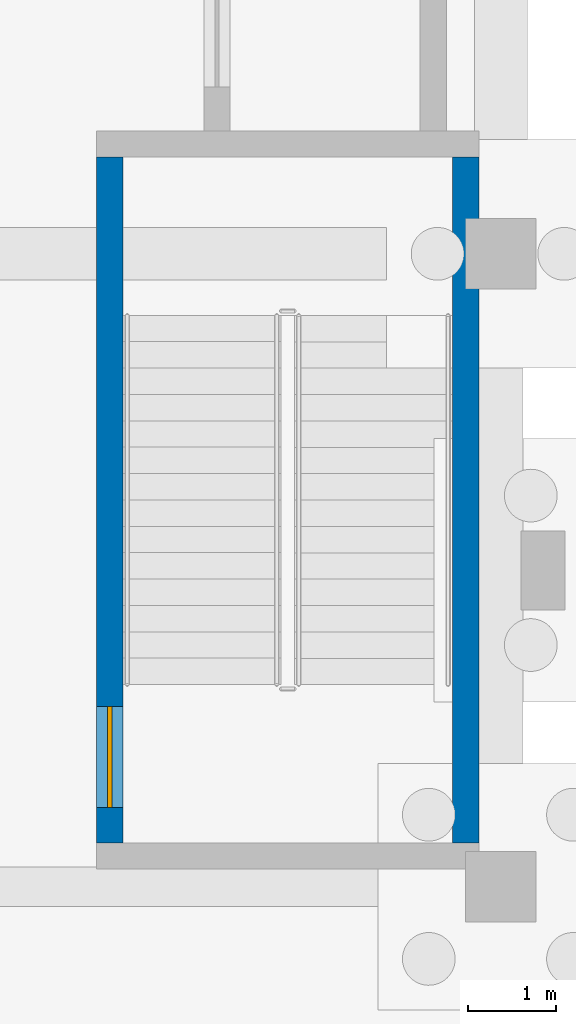
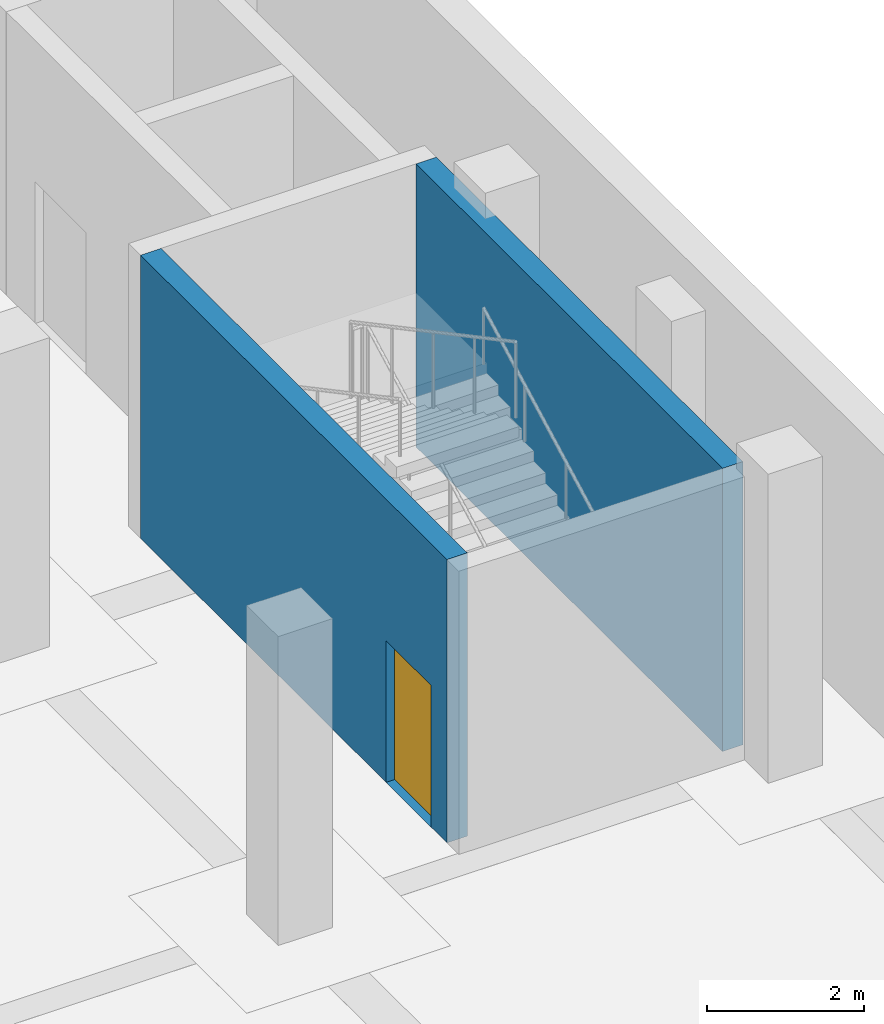
# One storey, part 28 of 38: 2 walls, 1 door, 1 opening.
"""IFC4 building model written with IfcOpenShell, lengths in metres."""

import ifcopenshell
import ifcopenshell.guid

model = None  # the IFC model being written
_history = None  # IfcOwnerHistory: only IFC2X3 demands one
_inside = {}  # id of a spatial element -> (the spatial element, [elements in it])
_under = {}  # id of a project, library or spatial element -> (it, [spatial elements below it])
_declared = {}  # id of a project -> (the project, [libraries it declares])
_typed = {}  # id of a type object -> (the type object, [elements of that type])
_made_of = {}  # id of a material, layer set ... -> (it, [elements and type objects made of it])


def new_model(schema):
    """Start an empty IFC model of exactly this schema.

    Asked for "IFC4X3", IfcOpenShell would pick the latest addendum, in which some entities
    have other attributes; the version numbers below select the first issue.
    IFC2X3 requires an IfcOwnerHistory on every rooted entity: one is made here for all.
    """
    global model, _history
    if schema == "IFC4X3":
        model = ifcopenshell.file(schema_version=(4, 3, 0, 0))
    else:
        model = ifcopenshell.file(schema=schema)
    _inside.clear()
    _under.clear()
    _declared.clear()
    _typed.clear()
    _made_of.clear()
    _history = None
    if model.schema == "IFC2X3":
        org = make("IfcOrganization", Name="unknown")
        user = make(
            "IfcPersonAndOrganization",
            ThePerson=make("IfcPerson", FamilyName="unknown"),
            TheOrganization=org,
        )
        app = make(
            "IfcApplication",
            ApplicationDeveloper=org,
            Version="unknown",
            ApplicationFullName="unknown",
            ApplicationIdentifier="unknown",
        )
        _history = make(
            "IfcOwnerHistory",
            OwningUser=user,
            OwningApplication=app,
            ChangeAction="ADDED",
            CreationDate=0,
        )
    return model


def make(cls, **values):
    """One entity of the class cls with the attributes given. An attribute that is None is left unset."""
    return model.create_entity(
        cls, **{name: value for name, value in values.items() if value is not None}
    )


def rooted(cls, **values):
    """An entity with a GlobalId (a new one), such as an element, a storey or a relation."""
    return make(cls, GlobalId=ifcopenshell.guid.new(), OwnerHistory=_history, **values)


def si_unit(unit_type, name, prefix=None):
    """IfcSIUnit, for example si_unit("LENGTHUNIT", "METRE", prefix="MILLI")."""
    return make("IfcSIUnit", UnitType=unit_type, Prefix=prefix, Name=name)


def assignment(units):
    """IfcUnitAssignment: the units of a project."""
    return None if units is None else make("IfcUnitAssignment", Units=units)


def point(xyz):
    """IfcCartesianPoint."""
    return None if xyz is None else make("IfcCartesianPoint", Coordinates=xyz)


def direction(xyz):
    """IfcDirection."""
    return None if xyz is None else make("IfcDirection", DirectionRatios=xyz)


def frame(location, z_axis=None, x_axis=None):
    """IfcAxis2Placement3D, a coordinate frame: its origin and axes. An axis left out is left unset."""
    return make(
        "IfcAxis2Placement3D",
        Location=point(location),
        Axis=direction(z_axis),
        RefDirection=direction(x_axis),
    )


def frame_2d(location, x_axis=None):
    """IfcAxis2Placement2D, a coordinate frame in the plane: its origin and x axis."""
    return make(
        "IfcAxis2Placement2D", Location=point(location), RefDirection=direction(x_axis)
    )


def origin():
    """The frame at (0, 0, 0) with its axes left unset."""
    return frame((0.0, 0.0, 0.0))


def place(relative_to, where):
    """IfcLocalPlacement: puts the frame where relative to a parent placement (None: the world)."""
    return make(
        "IfcLocalPlacement", PlacementRelTo=relative_to, RelativePlacement=where
    )


def context(
    kind, dimensions, precision=None, world=None, true_north=None, identifier=None
):
    """IfcGeometricRepresentationContext, for example the 3D "Model" context."""
    return make(
        "IfcGeometricRepresentationContext",
        ContextIdentifier=identifier,
        ContextType=kind,
        CoordinateSpaceDimension=dimensions,
        Precision=precision,
        WorldCoordinateSystem=world,
        TrueNorth=true_north,
    )


def subcontext(parent, identifier, kind, view, scale=None):
    """IfcGeometricRepresentationSubContext, for example "Body" below "Model"."""
    return make(
        "IfcGeometricRepresentationSubContext",
        ContextIdentifier=identifier,
        ContextType=kind,
        ParentContext=parent,
        TargetScale=scale,
        TargetView=view,
    )


def project(units=None, contexts=None):
    """IfcProject with its units and contexts."""
    return rooted(
        "IfcProject",
        Name="project",
        RepresentationContexts=contexts,
        UnitsInContext=assignment(units),
    )


def spatial(cls, under=None, at=None, **own):
    """A site, building, storey or space (cls), placed at a placement, below another one or the project."""
    s = rooted(cls, ObjectPlacement=at, **own)
    if under is not None:
        _under.setdefault(under.id(), (under, []))[1].append(s)
    return s


def profile(cls, at=None, kind="AREA", **sizes):
    """A parametric profile (cls). Its sizes go by their IFC names, for example OverallWidth=200.0."""
    return make(cls, ProfileType=kind, Position=at, **sizes)


def rectangle(**sizes):
    """IfcRectangleProfileDef."""
    return profile("IfcRectangleProfileDef", **sizes)


def extrude(swept, where, along, depth):
    """IfcExtrudedAreaSolid: the profile swept, set in the frame where, extruded along a direction by depth."""
    return make(
        "IfcExtrudedAreaSolid",
        SweptArea=swept,
        Position=where,
        ExtrudedDirection=direction(along),
        Depth=depth,
    )


def shape(context_of_items, identifier, shape_type, items):
    """IfcShapeRepresentation: the items that make up one representation, for example the "Body"."""
    return make(
        "IfcShapeRepresentation",
        ContextOfItems=context_of_items,
        RepresentationIdentifier=identifier,
        RepresentationType=shape_type,
        Items=items,
    )


def material(Name=None, Category=None):
    """IfcMaterial."""
    return make("IfcMaterial", Name=Name, Category=Category)


def layer(
    of_material, thickness, ventilated=None, Name=None, Category=None, Priority=None
):
    """IfcMaterialLayer: one layer of a wall or slab, of a material (None: an air gap)."""
    return make(
        "IfcMaterialLayer",
        Material=of_material,
        LayerThickness=thickness,
        IsVentilated=ventilated,
        Name=Name,
        Category=Category,
        Priority=Priority,
    )


def layer_set(layers, Name=None):
    """IfcMaterialLayerSet."""
    return make("IfcMaterialLayerSet", MaterialLayers=layers, LayerSetName=Name)


def made_of(thing, what):
    """Note that an element or type object is made of a material, layer set ...; save() writes the relation."""
    if what is not None:
        _made_of.setdefault(what.id(), (what, []))[1].append(thing)
    return thing


def type_object(cls, material=None, **own):
    """A type object (cls), such as IfcWallType, which elements share."""
    return made_of(rooted(cls, **own), material)


def element(
    cls,
    number,
    at=None,
    inside=None,
    cuts=None,
    type_object=None,
    material=None,
    context=None,
    identifier="Body",
    shape_type=None,
    held_by="IfcProductDefinitionShape",
    body=None,
    shapes=None,
    **own,
):
    """One element of the class cls, such as IfcWall. Its Tag is "e" and its number.

    at: its placement. inside: the storey or other place that contains it. cuts: it is an
    opening in that element (IfcRelVoidsElement). A single representation is given by context,
    identifier, shape_type and body (its items); several are given by shapes. held_by: the class
    of the entity that holds the representations. save() writes the other relations.
    """
    e = rooted(cls, Tag="e%d" % number, ObjectPlacement=at, **own)
    if body is not None:
        shapes = [shape(context, identifier, shape_type, body)]
    if shapes is not None:
        e.Representation = make(held_by, Representations=shapes)
    if inside is not None:
        _inside.setdefault(inside.id(), (inside, []))[1].append(e)
    if cuts is not None:
        rooted(
            "IfcRelVoidsElement", RelatingBuildingElement=cuts, RelatedOpeningElement=e
        )
    if type_object is not None:
        _typed.setdefault(type_object.id(), (type_object, []))[1].append(e)
    return made_of(e, material)


def fill(opening, filler):
    """IfcRelFillsElement: the door or window that sits in an opening."""
    return rooted(
        "IfcRelFillsElement",
        RelatingOpeningElement=opening,
        RelatedBuildingElement=filler,
    )


def aggregate(whole, parts):
    """IfcRelAggregates: a whole, such as a stair, and the parts it consists of."""
    return rooted("IfcRelAggregates", RelatingObject=whole, RelatedObjects=parts)


def save(model, path):
    """Write the relations noted so far, then the file.

    IfcRelAggregates (storeys below a building ...), IfcRelContainedInSpatialStructure (elements
    in a storey), IfcRelDefinesByType, IfcRelAssociatesMaterial and IfcRelDeclares: one each for
    every whole, place, type object, material and project.
    """
    for whole, parts in _under.values():
        aggregate(whole, parts)
    for where, things in _inside.values():
        rooted(
            "IfcRelContainedInSpatialStructure",
            RelatedElements=things,
            RelatingStructure=where,
        )
    for kind, things in _typed.values():
        rooted("IfcRelDefinesByType", RelatedObjects=things, RelatingType=kind)
    for what, things in _made_of.values():
        rooted("IfcRelAssociatesMaterial", RelatedObjects=things, RelatingMaterial=what)
    for by, libraries in _declared.values():
        rooted("IfcRelDeclares", RelatingContext=by, RelatedDefinitions=libraries)
    model.write(path)


model = new_model("IFC4")

# Units and contexts
model_context = context("Model", 3, precision=1e-05, world=origin(), true_north=direction((0.0, 1.0)))
body_context = subcontext(model_context, "Body", "Model", "MODEL_VIEW")
ifc_project = project(units=[si_unit("LENGTHUNIT", "METRE"), si_unit("AREAUNIT", "SQUARE_METRE"), si_unit("VOLUMEUNIT", "CUBIC_METRE"), si_unit("PLANEANGLEUNIT", "RADIAN"), si_unit("MASSUNIT", "GRAM", prefix="KILO")], contexts=[model_context])

# Site, building, storey
site_placement = place(None, origin())
site = spatial("IfcSite", under=ifc_project, at=site_placement, CompositionType="ELEMENT")
building_placement = place(site_placement, origin())
building = spatial("IfcBuilding", under=site, at=building_placement, Name="Valkovuoma Quantum and Materials Research Institute", CompositionType="ELEMENT")
storey_placement = place(building_placement, frame((0.0, 0.0, -4.800048828125)))
storey = spatial("IfcBuildingStorey", under=building, at=storey_placement, Name="B1", CompositionType="ELEMENT", Elevation=-4.800048828125)

# Wall, opening, door
ifc_material_1 = material(Name="Concrete C40/50", Category="concrete")
ifc_layer = layer(ifc_material_1, 0.300048828125)
ifc_layer_set = layer_set([ifc_layer], Name="Concrete C40/50")
wall_type = type_object("IfcWallType", Name="Wall-W-COR300", PredefinedType="SHEAR", material=ifc_layer_set)
wall_1_placement = place(storey_placement, frame((161.14990234375, 58.10009765625, 0.0), z_axis=(0.0, 0.0, 1.0), x_axis=(0.0, 1.0, 0.0)))
wall_1 = element("IfcWall", 1, at=wall_1_placement, inside=storey, type_object=wall_type, Name="B1 core wall 0201", PredefinedType="SHEAR", context=body_context, shape_type="SweptSolid", body=[
    extrude(rectangle(XDim=7.7998046875, YDim=0.300048828125, at=frame_2d((3.89990234375, 0.0))), origin(), (0.0, 0.0, 1.0), 4.400146484375),
])
opening_placement = place(wall_1_placement, frame((0.39990234375, 0.0, 0.0)))
opening = element("IfcOpeningElement", 2, at=opening_placement, cuts=wall_1, Name="Opening SD-034", PredefinedType="OPENING", context=body_context, shape_type="SweptSolid", body=[
    extrude(rectangle(XDim=1.14990234375, YDim=2.199951171875, at=frame_2d((0.574951171875, 1.10009765625))), frame((0.0, 0.16015625, 0.0), z_axis=(0.0, -1.0, 0.0), x_axis=(1.0, 0.0, 0.0)), (0.0, 0.0, 1.0), 0.320068359375),
])
ifc_material_2 = material(Name="Powder-coated steel and acoustic timber door assembly", Category="steel")
door_type = type_object("IfcDoorType", Name="Door-DR-ST60", OperationType="NOTDEFINED", PredefinedType="DOOR", material=ifc_material_2)
door_placement = place(opening_placement, frame((1.14990234375, 0.0, 0.0), z_axis=(0.0, 0.0, 1.0), x_axis=(-1.0, 0.0, 0.0)))
door = element("IfcDoor", 3, at=door_placement, inside=storey, type_object=door_type, Name="B1 ST-3 fire door", OperationType="SINGLE_SWING_LEFT", OverallHeight=2.199951171875, OverallWidth=1.14990234375, PredefinedType="DOOR", context=body_context, shape_type="SweptSolid", body=[
    extrude(rectangle(XDim=1.14990234375, YDim=2.199951171875, at=frame_2d((0.574951171875, 1.10009765625))), frame((0.0, 0.02490234375, 0.0), z_axis=(0.0, -1.0, 0.0), x_axis=(1.0, 0.0, 0.0)), (0.0, 0.0, 1.0), 0.050048828125),
])
fill(opening, door)

# Wall
wall_2_placement = place(storey_placement, frame((165.199951171875, 58.10009765625, 0.0), z_axis=(0.0, 0.0, 1.0), x_axis=(0.0, 1.0, 0.0)))
element("IfcWall", 4, at=wall_2_placement, inside=storey, type_object=wall_type, Name="B1 core wall 0202", PredefinedType="SHEAR", context=body_context, shape_type="SweptSolid", body=[
    extrude(rectangle(XDim=7.7998046875, YDim=0.300048828125, at=frame_2d((3.89990234375, 0.0))), origin(), (0.0, 0.0, 1.0), 4.400146484375),
])

save(model, "model.ifc")
